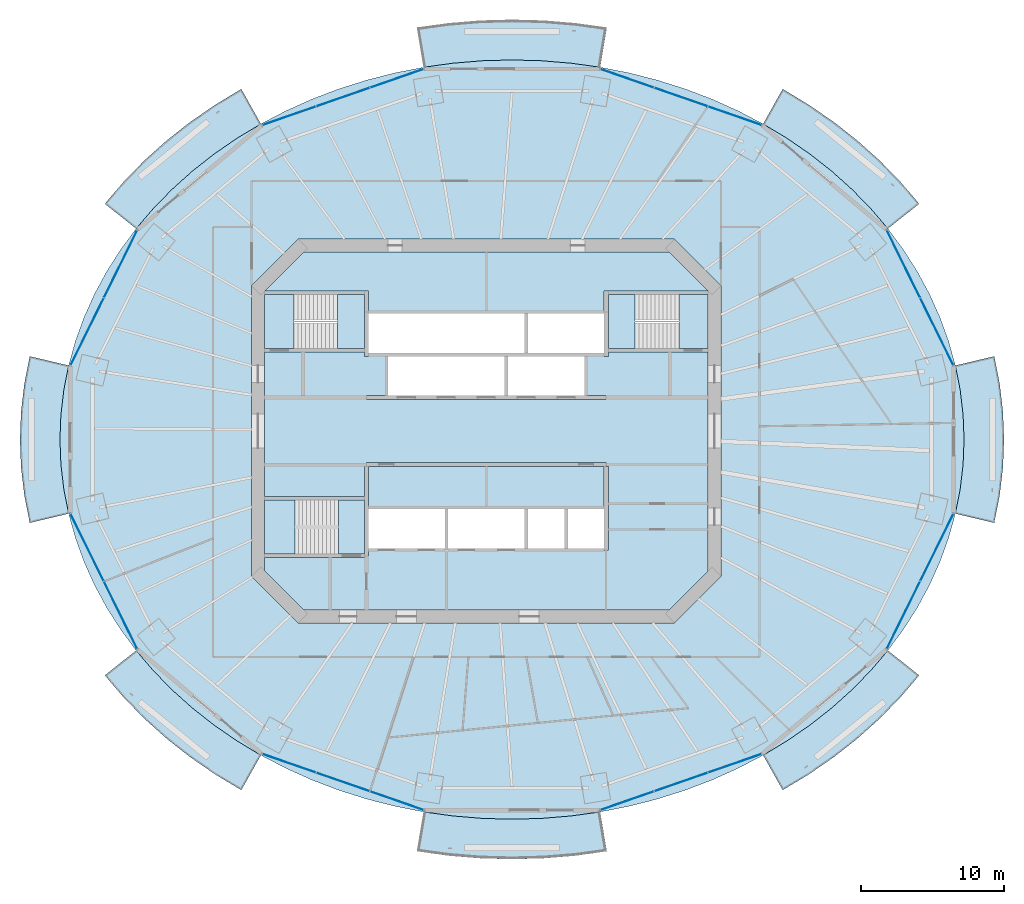
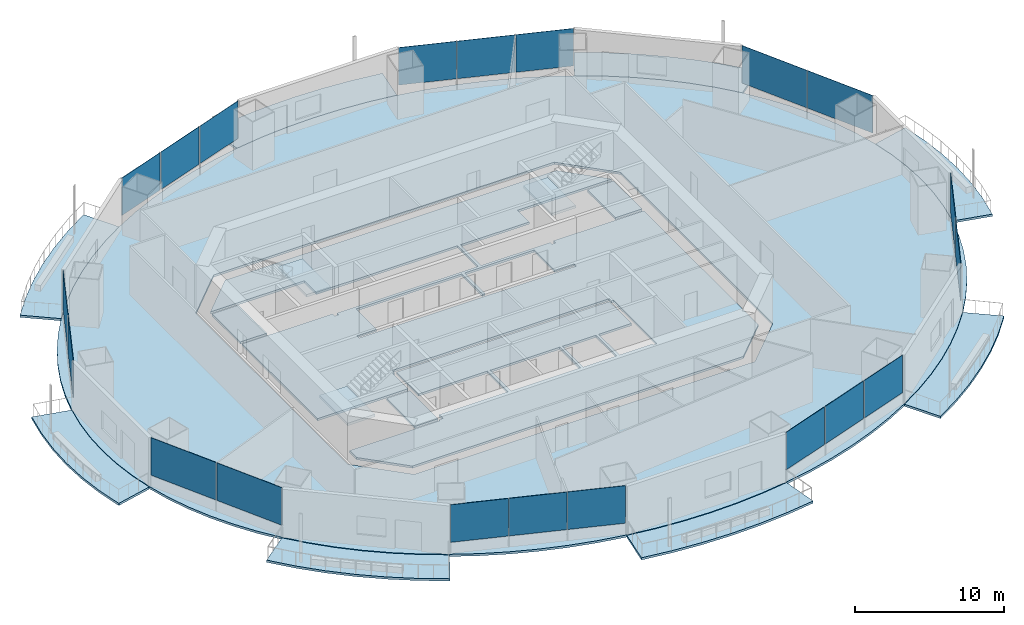
# One storey, part 11 of 21: 20 plates, 16 slabs, 11 elements without a shape of their own.
"""IFC4 building model written with IfcOpenShell, lengths in metres."""

from ifc_helpers import new_model, si_unit, direction, frame, origin, origin_2d, place, context, subcontext, project, spatial, polyline, rectangle, outline, extrude, material, layer, layer_set, type_object, element, aggregate, save


model = new_model("IFC4")

# Units and contexts
model_context = context("Model", 3, precision=1e-05, world=origin(), true_north=direction((0.0, 1.0)))
body_context = subcontext(model_context, "Body", "Model", "MODEL_VIEW")
ifc_project = project(units=[si_unit("LENGTHUNIT", "METRE"), si_unit("AREAUNIT", "SQUARE_METRE"), si_unit("VOLUMEUNIT", "CUBIC_METRE"), si_unit("PLANEANGLEUNIT", "RADIAN"), si_unit("MASSUNIT", "GRAM", prefix="KILO")], contexts=[model_context])

# Site, building, storey
site_placement = place(None, origin())
site = spatial("IfcSite", under=ifc_project, at=site_placement, CompositionType="ELEMENT")
building_placement = place(site_placement, origin())
building = spatial("IfcBuilding", under=site, at=building_placement, Name="Marenthal Gate Tower", CompositionType="ELEMENT")
storey_placement = place(building_placement, frame((0.0, 0.0, 198.39990234375)))
storey = spatial("IfcBuildingStorey", under=building, at=storey_placement, Name="L43", CompositionType="ELEMENT", Elevation=198.39990234375)

# Slabs
ifc_material_1 = material(Name="Concrete 40 MPa", Category="concrete")
ifc_layer_1 = layer(ifc_material_1, 0.179931640625)
ifc_layer_set_1 = layer_set([ifc_layer_1], Name="Balcony deck 180")
slab_type_1 = type_object("IfcSlabType", Name="Balcony deck 180", PredefinedType="USERDEFINED", material=ifc_layer_set_1)
slab_1_placement = place(storey_placement, frame((0.0, 0.0, -0.219970703125)))
element("IfcSlab", 1, at=slab_1_placement, inside=storey, type_object=slab_type_1, Name="Balcony deck L43 bay 2", ObjectType="BALCONY", PredefinedType="USERDEFINED", context=body_context, shape_type="SweptSolid", body=[
    extrude(outline(polyline([(28.15087890625, 14.1865234375), (26.943115234375, 15.602294921875), (25.627197265625, 16.948486328125), (24.209716796875, 18.219482421875), (22.696044921875, 19.41015625), (21.093017578125, 20.51513671875), (19.406982421875, 21.529541015625), (20.77734375, 23.971435546875), (22.609619140625, 22.86865234375), (24.3564453125, 21.664794921875), (26.01025390625, 20.36376953125), (27.56396484375, 18.970703125), (29.010009765625, 17.490966796875), (30.342041015625, 15.929931640625), (28.15087890625, 14.1865234375)])), origin(), (0.0, 0.0, 1.0), 0.18017578125),
])
slab_2_placement = place(storey_placement, frame((0.0, 0.0, -0.219970703125)))
element("IfcSlab", 2, at=slab_2_placement, inside=storey, type_object=slab_type_1, Name="Balcony deck L43 bay 4", ObjectType="BALCONY", PredefinedType="USERDEFINED", context=body_context, shape_type="SweptSolid", body=[
    extrude(outline(polyline([(7.98291015625, 25.503662109375), (5.9365234375, 25.787353515625), (3.872802734375, 25.9580078125), (1.800048828125, 26.014892578125), (-0.272705078125, 25.9580078125), (-2.336669921875, 25.787353515625), (-4.3828125, 25.503662109375), (-4.84423828125, 28.265380859375), (-2.644287109375, 28.5703125), (-0.4267578125, 28.753662109375), (1.800048828125, 28.81494140625), (4.026611328125, 28.753662109375), (6.244384765625, 28.5703125), (8.444091796875, 28.265380859375), (7.98291015625, 25.503662109375)])), origin(), (0.0, 0.0, 1.0), 0.18017578125),
])
slab_3_placement = place(storey_placement, frame((0.0, 0.0, -0.219970703125)))
element("IfcSlab", 3, at=slab_3_placement, inside=storey, type_object=slab_type_1, Name="Balcony deck L43 bay 6", ObjectType="BALCONY", PredefinedType="USERDEFINED", context=body_context, shape_type="SweptSolid", body=[
    extrude(outline(polyline([(-15.80712890625, 21.529541015625), (-17.492919921875, 20.51513671875), (-19.095947265625, 19.41015625), (-20.609619140625, 18.219482421875), (-22.02734375, 16.948486328125), (-23.343017578125, 15.602294921875), (-24.55078125, 14.1865234375), (-26.741943359375, 15.929931640625), (-25.41015625, 17.490966796875), (-23.9638671875, 18.970703125), (-22.410400390625, 20.36376953125), (-20.75634765625, 21.664794921875), (-19.009521484375, 22.86865234375), (-17.17724609375, 23.971435546875), (-15.80712890625, 21.529541015625)])), origin(), (0.0, 0.0, 1.0), 0.18017578125),
])
slab_4_placement = place(storey_placement, frame((0.0, 0.0, -0.219970703125)))
element("IfcSlab", 4, at=slab_4_placement, inside=storey, type_object=slab_type_1, Name="Balcony deck L43 bay 8", ObjectType="BALCONY", PredefinedType="USERDEFINED", context=body_context, shape_type="SweptSolid", body=[
    extrude(outline(polyline([(-29.282958984375, 4.59228515625), (-29.620849609375, 2.8740234375), (-29.82421875, 1.140625), (-29.89208984375, -0.60009765625), (-29.82421875, -2.3408203125), (-29.620849609375, -4.073974609375), (-29.282958984375, -5.792236328125), (-32.007568359375, -6.437744140625), (-32.38720703125, -4.507568359375), (-32.61572265625, -2.55859375), (-32.69189453125, -0.60009765625), (-32.61572265625, 1.358642578125), (-32.38720703125, 3.3076171875), (-32.007568359375, 5.237548828125), (-29.282958984375, 4.59228515625)])), origin(), (0.0, 0.0, 1.0), 0.18017578125),
])
slab_5_placement = place(storey_placement, frame((0.0, 0.0, -0.219970703125)))
element("IfcSlab", 5, at=slab_5_placement, inside=storey, type_object=slab_type_1, Name="Balcony deck L43 bay 10", ObjectType="BALCONY", PredefinedType="USERDEFINED", context=body_context, shape_type="SweptSolid", body=[
    extrude(outline(polyline([(-24.55078125, -15.386474609375), (-23.343017578125, -16.80224609375), (-22.02734375, -18.1484375), (-20.609619140625, -19.419677734375), (-19.095947265625, -20.610107421875), (-17.492919921875, -21.715087890625), (-15.80712890625, -22.7294921875), (-17.17724609375, -25.17138671875), (-19.009521484375, -24.06884765625), (-20.75634765625, -22.86474609375), (-22.410400390625, -21.563720703125), (-23.9638671875, -20.1708984375), (-25.41015625, -18.69091796875), (-26.741943359375, -17.1298828125), (-24.55078125, -15.386474609375)])), origin(), (0.0, 0.0, 1.0), 0.18017578125),
])
slab_6_placement = place(storey_placement, frame((0.0, 0.0, -0.219970703125)))
element("IfcSlab", 6, at=slab_6_placement, inside=storey, type_object=slab_type_1, Name="Balcony deck L43 bay 12", ObjectType="BALCONY", PredefinedType="USERDEFINED", context=body_context, shape_type="SweptSolid", body=[
    extrude(outline(polyline([(-4.3828125, -26.70361328125), (-2.336669921875, -26.9873046875), (-0.272705078125, -27.157958984375), (1.800048828125, -27.215087890625), (3.872802734375, -27.157958984375), (5.9365234375, -26.9873046875), (7.98291015625, -26.70361328125), (8.444091796875, -29.46533203125), (6.244384765625, -29.770263671875), (4.026611328125, -29.953857421875), (1.800048828125, -30.014892578125), (-0.4267578125, -29.953857421875), (-2.644287109375, -29.770263671875), (-4.84423828125, -29.46533203125), (-4.3828125, -26.70361328125)])), origin(), (0.0, 0.0, 1.0), 0.18017578125),
])
slab_7_placement = place(storey_placement, frame((0.0, 0.0, -0.219970703125)))
element("IfcSlab", 7, at=slab_7_placement, inside=storey, type_object=slab_type_1, Name="Balcony deck L43 bay 14", ObjectType="BALCONY", PredefinedType="USERDEFINED", context=body_context, shape_type="SweptSolid", body=[
    extrude(outline(polyline([(19.406982421875, -22.7294921875), (21.093017578125, -21.715087890625), (22.696044921875, -20.610107421875), (24.209716796875, -19.419677734375), (25.627197265625, -18.1484375), (26.943115234375, -16.80224609375), (28.15087890625, -15.386474609375), (30.342041015625, -17.1298828125), (29.010009765625, -18.69091796875), (27.56396484375, -20.1708984375), (26.01025390625, -21.563720703125), (24.3564453125, -22.86474609375), (22.609619140625, -24.06884765625), (20.77734375, -25.17138671875), (19.406982421875, -22.7294921875)])), origin(), (0.0, 0.0, 1.0), 0.18017578125),
])
slab_8_placement = place(storey_placement, frame((0.0, 0.0, -0.219970703125)))
element("IfcSlab", 8, at=slab_8_placement, inside=storey, type_object=slab_type_1, Name="Balcony deck L43 bay 16", ObjectType="BALCONY", PredefinedType="USERDEFINED", context=body_context, shape_type="SweptSolid", body=[
    extrude(outline(polyline([(32.883056640625, -5.792236328125), (33.220947265625, -4.073974609375), (33.424072265625, -2.3408203125), (33.491943359375, -0.60009765625), (33.424072265625, 1.140625), (33.220947265625, 2.8740234375), (32.883056640625, 4.59228515625), (35.607666015625, 5.237548828125), (35.987060546875, 3.3076171875), (36.215576171875, 1.358642578125), (36.2919921875, -0.60009765625), (36.215576171875, -2.55859375), (35.987060546875, -4.507568359375), (35.607666015625, -6.437744140625), (32.883056640625, -5.792236328125)])), origin(), (0.0, 0.0, 1.0), 0.18017578125),
])
ifc_material_2 = material(Name="Concrete 50 MPa", Category="concrete")
ifc_layer_2 = layer(ifc_material_2, 0.179931640625)
ifc_layer_set_2 = layer_set([ifc_layer_2], Name="Core floor slab 180")
slab_type_2 = type_object("IfcSlabType", Name="Core floor slab 180", PredefinedType="FLOOR", material=ifc_layer_set_2)
slab_9_placement = place(storey_placement, frame((0.0, 0.0, -0.179931640625)))
element("IfcSlab", 9, at=slab_9_placement, inside=storey, type_object=slab_type_2, Name="Core floor L43", PredefinedType="FLOOR", context=body_context, shape_type="SweptSolid", body=[
    extrude(outline(polyline([(12.813720703125, -12.550048828125), (-12.813720703125, -12.550048828125), (-15.550048828125, -9.813720703125), (-15.550048828125, -8.875), (-8.550048828125, -8.875), (-8.550048828125, -8.75), (-8.25, -8.75), (-8.25, -8.239990234375), (-5.60009765625, -8.239990234375), (-2.909912109375, -8.239990234375), (-2.909912109375, -5.4599609375), (-5.60009765625, -5.4599609375), (-8.25, -5.4599609375), (-8.25, -2.5), (8.25, -2.5), (8.25, -5.4599609375), (5.7099609375, -5.4599609375), (5.7099609375, -8.239990234375), (8.25, -8.239990234375), (8.25, -8.35009765625), (8.550048828125, -8.35009765625), (8.550048828125, -2.5), (8.39990234375, -2.5), (8.39990234375, -2.199951171875), (-8.39990234375, -2.199951171875), (-8.39990234375, -2.5), (-8.550048828125, -2.5), (-8.550048828125, -4.574951171875), (-15.550048828125, -4.574951171875), (-15.550048828125, 5.52490234375), (-8.550048828125, 5.52490234375), (-8.550048828125, 5.239990234375), (-8.25, 5.239990234375), (-8.25, 5.4599609375), (-5.60009765625, 5.4599609375), (-2.800048828125, 5.4599609375), (0.0, 5.4599609375), (2.68994140625, 5.4599609375), (2.68994140625, 8.239990234375), (0.0, 8.239990234375), (-2.800048828125, 8.239990234375), (-5.60009765625, 8.239990234375), (-8.25, 8.239990234375), (-8.25, 8.35009765625), (-8.25, 9.824951171875), (-8.550048828125, 9.824951171875), (-15.53857421875, 9.824951171875), (-12.813720703125, 12.550048828125), (12.813720703125, 12.550048828125), (15.53857421875, 9.824951171875), (8.550048828125, 9.824951171875), (8.25, 9.824951171875), (8.25, 8.35009765625), (8.25, 8.239990234375), (5.60009765625, 8.239990234375), (2.909912109375, 8.239990234375), (2.909912109375, 5.4599609375), (5.60009765625, 5.4599609375), (8.25, 5.4599609375), (8.25, 5.239990234375), (8.550048828125, 5.239990234375), (8.550048828125, 5.52490234375), (15.550048828125, 5.52490234375), (15.550048828125, -9.813720703125), (12.813720703125, -12.550048828125)]), holes=[polyline([(2.68994140625, -8.239990234375), (2.68994140625, -5.4599609375), (0.0, -5.4599609375), (-2.68994140625, -5.4599609375), (-2.68994140625, -8.239990234375), (0.0, -8.239990234375), (2.68994140625, -8.239990234375)]), polyline([(-6.889892578125, 5.239990234375), (-6.889892578125, 2.5), (-8.39990234375, 2.5), (-8.39990234375, 2.199951171875), (8.39990234375, 2.199951171875), (8.39990234375, 2.5), (6.889892578125, 2.5), (6.889892578125, 5.239990234375), (4.199951171875, 5.239990234375), (1.510009765625, 5.239990234375), (1.510009765625, 2.5), (1.2900390625, 2.5), (1.2900390625, 5.239990234375), (-1.39990234375, 5.239990234375), (-4.199951171875, 5.239990234375), (-6.889892578125, 5.239990234375)]), polyline([(5.489990234375, -8.239990234375), (5.489990234375, -5.4599609375), (2.909912109375, -5.4599609375), (2.909912109375, -8.239990234375), (5.489990234375, -8.239990234375)])]), origin(), (0.0, 0.0, 1.0), 0.179931640625),
])
slab_10_placement = place(storey_placement, frame((0.0, 0.0, -0.179931640625)))
element("IfcSlab", 10, at=slab_10_placement, inside=storey, type_object=slab_type_2, Name="Core floor L43", PredefinedType="FLOOR", context=body_context, shape_type="SweptSolid", body=[
    extrude(outline(polyline([(15.550048828125, 5.77490234375), (13.5, 5.77490234375), (13.5, 9.574951171875), (15.550048828125, 9.574951171875), (15.550048828125, 5.77490234375)])), origin(), (0.0, 0.0, 1.0), 0.179931640625),
])
slab_11_placement = place(storey_placement, frame((0.0, 0.0, -0.179931640625)))
element("IfcSlab", 11, at=slab_11_placement, inside=storey, type_object=slab_type_2, Name="Core floor L43", PredefinedType="FLOOR", context=body_context, shape_type="SweptSolid", body=[
    extrude(outline(polyline([(-15.550048828125, 9.574951171875), (-13.5, 9.574951171875), (-13.5, 5.77490234375), (-15.550048828125, 5.77490234375), (-15.550048828125, 9.574951171875)])), origin(), (0.0, 0.0, 1.0), 0.179931640625),
])
slab_12_placement = place(storey_placement, frame((0.0, 0.0, -0.179931640625)))
element("IfcSlab", 12, at=slab_12_placement, inside=storey, type_object=slab_type_2, Name="Core floor L43", PredefinedType="FLOOR", context=body_context, shape_type="SweptSolid", body=[
    extrude(outline(polyline([(-8.550048828125, -8.625), (-10.35009765625, -8.625), (-10.35009765625, -4.824951171875), (-8.550048828125, -4.824951171875), (-8.550048828125, -8.625)])), origin(), (0.0, 0.0, 1.0), 0.179931640625),
])
ifc_material_3 = material(Name="Concrete 35 MPa", Category="concrete")
ifc_layer_3 = layer(ifc_material_3, 0.179931640625)
ifc_layer_set_3 = layer_set([ifc_layer_3], Name="Floor slab 180")
slab_type_3 = type_object("IfcSlabType", Name="Floor slab 180", PredefinedType="FLOOR", material=ifc_layer_set_3)
slab_13_placement = place(storey_placement, frame((0.0, 0.0, -0.179931640625)))
element("IfcSlab", 13, at=slab_13_placement, inside=storey, type_object=slab_type_3, Name="SL-L43-01", PredefinedType="FLOOR", context=body_context, shape_type="SweptSolid", body=[
    extrude(outline(polyline([(33.491943359375, -0.60009765625), (33.424072265625, 1.140625), (33.220947265625, 2.8740234375), (32.883056640625, 4.59228515625), (32.412109375, 6.28857421875), (31.81005859375, 7.955078125), (31.07958984375, 9.585205078125), (30.2236328125, 11.17138671875), (29.24609375, 12.70751953125), (28.15087890625, 14.1865234375), (26.943115234375, 15.602294921875), (25.627197265625, 16.948486328125), (24.209716796875, 18.219482421875), (22.696044921875, 19.41015625), (21.093017578125, 20.51513671875), (19.406982421875, 21.529541015625), (17.64599609375, 22.44921875), (15.81689453125, 23.270263671875), (13.927978515625, 23.989013671875), (11.987060546875, 24.6025390625), (10.00244140625, 25.108154296875), (7.98291015625, 25.503662109375), (5.9365234375, 25.787353515625), (3.872802734375, 25.9580078125), (1.800048828125, 26.014892578125), (-0.272705078125, 25.9580078125), (-2.336669921875, 25.787353515625), (-4.3828125, 25.503662109375), (-6.402587890625, 25.108154296875), (-8.38720703125, 24.6025390625), (-10.327880859375, 23.989013671875), (-12.217041015625, 23.270263671875), (-14.0458984375, 22.44921875), (-15.80712890625, 21.529541015625), (-17.492919921875, 20.51513671875), (-19.095947265625, 19.41015625), (-20.609619140625, 18.219482421875), (-22.02734375, 16.948486328125), (-23.343017578125, 15.602294921875), (-24.55078125, 14.1865234375), (-25.64599609375, 12.70751953125), (-26.623779296875, 11.17138671875), (-27.4794921875, 9.585205078125), (-28.210205078125, 7.955078125), (-28.81201171875, 6.28857421875), (-29.282958984375, 4.59228515625), (-29.620849609375, 2.8740234375), (-29.82421875, 1.140625), (-29.89208984375, -0.60009765625), (-29.82421875, -2.3408203125), (-29.620849609375, -4.073974609375), (-29.282958984375, -5.792236328125), (-28.81201171875, -7.488525390625), (-28.210205078125, -9.155029296875), (-27.4794921875, -10.78515625), (-26.623779296875, -12.37158203125), (-25.64599609375, -13.907470703125), (-24.55078125, -15.386474609375), (-23.343017578125, -16.80224609375), (-22.02734375, -18.1484375), (-20.609619140625, -19.419677734375), (-19.095947265625, -20.610107421875), (-17.492919921875, -21.715087890625), (-15.80712890625, -22.7294921875), (-14.0458984375, -23.6494140625), (-12.217041015625, -24.47021484375), (-10.327880859375, -25.189208984375), (-8.38720703125, -25.802490234375), (-6.402587890625, -26.30810546875), (-4.3828125, -26.70361328125), (-2.336669921875, -26.9873046875), (-0.272705078125, -27.157958984375), (1.800048828125, -27.215087890625), (3.872802734375, -27.157958984375), (5.9365234375, -26.9873046875), (7.98291015625, -26.70361328125), (10.00244140625, -26.30810546875), (11.987060546875, -25.802490234375), (13.927978515625, -25.189208984375), (15.81689453125, -24.47021484375), (17.64599609375, -23.6494140625), (19.406982421875, -22.7294921875), (21.093017578125, -21.715087890625), (22.696044921875, -20.610107421875), (24.209716796875, -19.419677734375), (25.627197265625, -18.1484375), (26.943115234375, -16.80224609375), (28.15087890625, -15.386474609375), (29.24609375, -13.907470703125), (30.2236328125, -12.37158203125), (31.07958984375, -10.78515625), (31.81005859375, -9.155029296875), (32.412109375, -7.488525390625), (32.883056640625, -5.792236328125), (33.220947265625, -4.073974609375), (33.424072265625, -2.3408203125), (33.491943359375, -0.60009765625)]), holes=[polyline([(13.186279296875, -13.449951171875), (16.449951171875, -10.186279296875), (16.449951171875, 10.186279296875), (13.186279296875, 13.449951171875), (-13.186279296875, 13.449951171875), (-16.449951171875, 10.186279296875), (-16.449951171875, -10.186279296875), (-13.186279296875, -13.449951171875), (13.186279296875, -13.449951171875)])]), origin(), (0.0, 0.0, 1.0), 0.179931640625),
])

# Curtain wall, plates
ifc_material_4 = material(Name="Aluminium and glass", Category="aluminium")
curtain_wall_type = type_object("IfcCurtainWallType", Name="Curtain wall typical mid", PredefinedType="NOTDEFINED", material=ifc_material_4)
curtain_wall_1_placement = place(storey_placement, origin())
curtain_wall_1 = element("IfcCurtainWall", 14, at=curtain_wall_1_placement, inside=storey, type_object=curtain_wall_type, Name="Curtain wall L43 bay 1", PredefinedType="NOTDEFINED")
ifc_material_5 = material(Name="Glass, laminated insulating unit", Category="glass")
ifc_layer_4 = layer(ifc_material_5, 0.030029296875)
ifc_layer_set_4 = layer_set([ifc_layer_4], Name="Glass panel 30 typical mid")
plate_type = type_object("IfcPlateType", Name="Glass panel 30 typical mid", PredefinedType="CURTAIN_PANEL", material=ifc_layer_set_4)
plate_1_placement = place(storey_placement, frame((31.580322265625, 6.969970703125, 0.89990234375), z_axis=(0.0, 0.0, 1.0), x_axis=(-0.442607164057, 0.896715617309, 0.0)))
plate_1 = element("IfcPlate", 15, at=plate_1_placement, type_object=plate_type, Name="Glass panel L43 bay 1.1", PredefinedType="CURTAIN_PANEL", context=body_context, shape_type="SweptSolid", body=[
    extrude(rectangle(XDim=5.235595703125, YDim=0.030029296875, at=origin_2d()), origin(), (0.0, 0.0, 1.0), 3.070068359375),
])
plate_2_placement = place(storey_placement, frame((29.236328125, 11.71875, 0.89990234375), z_axis=(0.0, 0.0, 1.0), x_axis=(-0.442607164057, 0.896715617309, 0.0)))
plate_2 = element("IfcPlate", 16, at=plate_2_placement, type_object=plate_type, Name="Glass panel L43 bay 1.2", PredefinedType="CURTAIN_PANEL", context=body_context, shape_type="SweptSolid", body=[
    extrude(rectangle(XDim=5.235595703125, YDim=0.030029296875, at=origin_2d()), origin(), (0.0, 0.0, 1.0), 3.070068359375),
])
aggregate(curtain_wall_1, [plate_1, plate_2])

curtain_wall_2_placement = place(storey_placement, origin())
curtain_wall_2 = element("IfcCurtainWall", 17, at=curtain_wall_2_placement, inside=storey, type_object=curtain_wall_type, Name="Curtain wall L43 bay 3", PredefinedType="NOTDEFINED")
plate_3_placement = place(storey_placement, frame((17.4248046875, 22.095703125, 0.89990234375), z_axis=(0.0, 0.0, 1.0), x_axis=(-0.944562277362, 0.328332307555, 0.0)))
plate_3 = element("IfcPlate", 18, at=plate_3_placement, type_object=plate_type, Name="Glass panel L43 bay 3.1", PredefinedType="CURTAIN_PANEL", context=body_context, shape_type="SweptSolid", body=[
    extrude(rectangle(XDim=3.936279296875, YDim=0.030029296875, at=origin_2d()), origin(), (0.0, 0.0, 1.0), 3.070068359375),
])
plate_4_placement = place(storey_placement, frame((13.64990234375, 23.407958984375, 0.89990234375), z_axis=(0.0, 0.0, 1.0), x_axis=(-0.944562277362, 0.328332307555, 0.0)))
plate_4 = element("IfcPlate", 19, at=plate_4_placement, type_object=plate_type, Name="Glass panel L43 bay 3.2", PredefinedType="CURTAIN_PANEL", context=body_context, shape_type="SweptSolid", body=[
    extrude(rectangle(XDim=3.936279296875, YDim=0.030029296875, at=origin_2d()), origin(), (0.0, 0.0, 1.0), 3.070068359375),
])
plate_5_placement = place(storey_placement, frame((9.875244140625, 24.719970703125, 0.89990234375), z_axis=(0.0, 0.0, 1.0), x_axis=(-0.944562277362, 0.328332307555, 0.0)))
plate_5 = element("IfcPlate", 20, at=plate_5_placement, type_object=plate_type, Name="Glass panel L43 bay 3.3", PredefinedType="CURTAIN_PANEL", context=body_context, shape_type="SweptSolid", body=[
    extrude(rectangle(XDim=3.936279296875, YDim=0.030029296875, at=origin_2d()), origin(), (0.0, 0.0, 1.0), 3.070068359375),
])
aggregate(curtain_wall_2, [plate_3, plate_4, plate_5])

curtain_wall_3_placement = place(storey_placement, origin())
curtain_wall_3 = element("IfcCurtainWall", 21, at=curtain_wall_3_placement, inside=storey, type_object=curtain_wall_type, Name="Curtain wall L43 bay 5", PredefinedType="NOTDEFINED")
plate_6_placement = place(storey_placement, frame((-6.275146484375, 24.719970703125, 0.89990234375), z_axis=(0.0, 0.0, 1.0), x_axis=(-0.944562277362, -0.328332307555, 0.0)))
plate_6 = element("IfcPlate", 22, at=plate_6_placement, type_object=plate_type, Name="Glass panel L43 bay 5.1", PredefinedType="CURTAIN_PANEL", context=body_context, shape_type="SweptSolid", body=[
    extrude(rectangle(XDim=3.936279296875, YDim=0.030029296875, at=origin_2d()), origin(), (0.0, 0.0, 1.0), 3.070068359375),
])
plate_7_placement = place(storey_placement, frame((-10.050048828125, 23.407958984375, 0.89990234375), z_axis=(0.0, 0.0, 1.0), x_axis=(-0.944562277362, -0.328332307555, 0.0)))
plate_7 = element("IfcPlate", 23, at=plate_7_placement, type_object=plate_type, Name="Glass panel L43 bay 5.2", PredefinedType="CURTAIN_PANEL", context=body_context, shape_type="SweptSolid", body=[
    extrude(rectangle(XDim=3.936279296875, YDim=0.030029296875, at=origin_2d()), origin(), (0.0, 0.0, 1.0), 3.070068359375),
])
plate_8_placement = place(storey_placement, frame((-13.82470703125, 22.095703125, 0.89990234375), z_axis=(0.0, 0.0, 1.0), x_axis=(-0.944562277362, -0.328332307555, 0.0)))
plate_8 = element("IfcPlate", 24, at=plate_8_placement, type_object=plate_type, Name="Glass panel L43 bay 5.3", PredefinedType="CURTAIN_PANEL", context=body_context, shape_type="SweptSolid", body=[
    extrude(rectangle(XDim=3.936279296875, YDim=0.030029296875, at=origin_2d()), origin(), (0.0, 0.0, 1.0), 3.070068359375),
])
aggregate(curtain_wall_3, [plate_6, plate_7, plate_8])

curtain_wall_4_placement = place(storey_placement, origin())
curtain_wall_4 = element("IfcCurtainWall", 25, at=curtain_wall_4_placement, inside=storey, type_object=curtain_wall_type, Name="Curtain wall L43 bay 7", PredefinedType="NOTDEFINED")
plate_9_placement = place(storey_placement, frame((-25.636474609375, 11.718505859375, 0.89990234375), z_axis=(0.0, 0.0, 1.0), x_axis=(-0.442607164057, -0.896715617309, 0.0)))
plate_9 = element("IfcPlate", 26, at=plate_9_placement, type_object=plate_type, Name="Glass panel L43 bay 7.1", PredefinedType="CURTAIN_PANEL", context=body_context, shape_type="SweptSolid", body=[
    extrude(rectangle(XDim=5.235595703125, YDim=0.030029296875, at=origin_2d()), origin(), (0.0, 0.0, 1.0), 3.070068359375),
])
plate_10_placement = place(storey_placement, frame((-27.980224609375, 6.969970703125, 0.89990234375), z_axis=(0.0, 0.0, 1.0), x_axis=(-0.442607164057, -0.896715617309, 0.0)))
plate_10 = element("IfcPlate", 27, at=plate_10_placement, type_object=plate_type, Name="Glass panel L43 bay 7.2", PredefinedType="CURTAIN_PANEL", context=body_context, shape_type="SweptSolid", body=[
    extrude(rectangle(XDim=5.235595703125, YDim=0.030029296875, at=origin_2d()), origin(), (0.0, 0.0, 1.0), 3.070068359375),
])
aggregate(curtain_wall_4, [plate_9, plate_10])

curtain_wall_5_placement = place(storey_placement, origin())
curtain_wall_5 = element("IfcCurtainWall", 28, at=curtain_wall_5_placement, inside=storey, type_object=curtain_wall_type, Name="Curtain wall L43 bay 9", PredefinedType="NOTDEFINED")
plate_11_placement = place(storey_placement, frame((-27.980224609375, -8.170166015625, 0.89990234375), z_axis=(0.0, 0.0, 1.0), x_axis=(0.442607164057, -0.896715617309, 0.0)))
plate_11 = element("IfcPlate", 29, at=plate_11_placement, type_object=plate_type, Name="Glass panel L43 bay 9.1", PredefinedType="CURTAIN_PANEL", context=body_context, shape_type="SweptSolid", body=[
    extrude(rectangle(XDim=5.235595703125, YDim=0.030029296875, at=origin_2d()), origin(), (0.0, 0.0, 1.0), 3.070068359375),
])
plate_12_placement = place(storey_placement, frame((-25.636474609375, -12.918701171875, 0.89990234375), z_axis=(0.0, 0.0, 1.0), x_axis=(0.442607164057, -0.896715617309, 0.0)))
plate_12 = element("IfcPlate", 30, at=plate_12_placement, type_object=plate_type, Name="Glass panel L43 bay 9.2", PredefinedType="CURTAIN_PANEL", context=body_context, shape_type="SweptSolid", body=[
    extrude(rectangle(XDim=5.235595703125, YDim=0.030029296875, at=origin_2d()), origin(), (0.0, 0.0, 1.0), 3.070068359375),
])
aggregate(curtain_wall_5, [plate_11, plate_12])

curtain_wall_6_placement = place(storey_placement, origin())
curtain_wall_6 = element("IfcCurtainWall", 31, at=curtain_wall_6_placement, inside=storey, type_object=curtain_wall_type, Name="Curtain wall L43 bay 11", PredefinedType="NOTDEFINED")
plate_13_placement = place(storey_placement, frame((-13.82470703125, -23.295654296875, 0.89990234375), z_axis=(0.0, 0.0, 1.0), x_axis=(0.944562277362, -0.328332307555, 0.0)))
plate_13 = element("IfcPlate", 32, at=plate_13_placement, type_object=plate_type, Name="Glass panel L43 bay 11.1", PredefinedType="CURTAIN_PANEL", context=body_context, shape_type="SweptSolid", body=[
    extrude(rectangle(XDim=3.936279296875, YDim=0.030029296875, at=origin_2d()), origin(), (0.0, 0.0, 1.0), 3.070068359375),
])
plate_14_placement = place(storey_placement, frame((-10.050048828125, -24.60791015625, 0.89990234375), z_axis=(0.0, 0.0, 1.0), x_axis=(0.944562277362, -0.328332307555, 0.0)))
plate_14 = element("IfcPlate", 33, at=plate_14_placement, type_object=plate_type, Name="Glass panel L43 bay 11.2", PredefinedType="CURTAIN_PANEL", context=body_context, shape_type="SweptSolid", body=[
    extrude(rectangle(XDim=3.936279296875, YDim=0.030029296875, at=origin_2d()), origin(), (0.0, 0.0, 1.0), 3.070068359375),
])
plate_15_placement = place(storey_placement, frame((-6.275146484375, -25.919921875, 0.89990234375), z_axis=(0.0, 0.0, 1.0), x_axis=(0.944562277362, -0.328332307555, 0.0)))
plate_15 = element("IfcPlate", 34, at=plate_15_placement, type_object=plate_type, Name="Glass panel L43 bay 11.3", PredefinedType="CURTAIN_PANEL", context=body_context, shape_type="SweptSolid", body=[
    extrude(rectangle(XDim=3.936279296875, YDim=0.030029296875, at=origin_2d()), origin(), (0.0, 0.0, 1.0), 3.070068359375),
])
aggregate(curtain_wall_6, [plate_13, plate_14, plate_15])

curtain_wall_7_placement = place(storey_placement, origin())
curtain_wall_7 = element("IfcCurtainWall", 35, at=curtain_wall_7_placement, inside=storey, type_object=curtain_wall_type, Name="Curtain wall L43 bay 13", PredefinedType="NOTDEFINED")
plate_16_placement = place(storey_placement, frame((9.875244140625, -25.919921875, 0.89990234375), z_axis=(0.0, 0.0, 1.0), x_axis=(0.944562277362, 0.328332307555, 0.0)))
plate_16 = element("IfcPlate", 36, at=plate_16_placement, type_object=plate_type, Name="Glass panel L43 bay 13.1", PredefinedType="CURTAIN_PANEL", context=body_context, shape_type="SweptSolid", body=[
    extrude(rectangle(XDim=3.936279296875, YDim=0.030029296875, at=origin_2d()), origin(), (0.0, 0.0, 1.0), 3.070068359375),
])
plate_17_placement = place(storey_placement, frame((13.64990234375, -24.60791015625, 0.89990234375), z_axis=(0.0, 0.0, 1.0), x_axis=(0.944562277362, 0.328332307555, 0.0)))
plate_17 = element("IfcPlate", 37, at=plate_17_placement, type_object=plate_type, Name="Glass panel L43 bay 13.2", PredefinedType="CURTAIN_PANEL", context=body_context, shape_type="SweptSolid", body=[
    extrude(rectangle(XDim=3.936279296875, YDim=0.030029296875, at=origin_2d()), origin(), (0.0, 0.0, 1.0), 3.070068359375),
])
plate_18_placement = place(storey_placement, frame((17.4248046875, -23.295654296875, 0.89990234375), z_axis=(0.0, 0.0, 1.0), x_axis=(0.944562277362, 0.328332307555, 0.0)))
plate_18 = element("IfcPlate", 38, at=plate_18_placement, type_object=plate_type, Name="Glass panel L43 bay 13.3", PredefinedType="CURTAIN_PANEL", context=body_context, shape_type="SweptSolid", body=[
    extrude(rectangle(XDim=3.936279296875, YDim=0.030029296875, at=origin_2d()), origin(), (0.0, 0.0, 1.0), 3.070068359375),
])
aggregate(curtain_wall_7, [plate_16, plate_17, plate_18])

curtain_wall_8_placement = place(storey_placement, origin())
curtain_wall_8 = element("IfcCurtainWall", 39, at=curtain_wall_8_placement, inside=storey, type_object=curtain_wall_type, Name="Curtain wall L43 bay 15", PredefinedType="NOTDEFINED")
plate_19_placement = place(storey_placement, frame((29.236328125, -12.918701171875, 0.89990234375), z_axis=(0.0, 0.0, 1.0), x_axis=(0.442607164057, 0.896715617309, 0.0)))
plate_19 = element("IfcPlate", 40, at=plate_19_placement, type_object=plate_type, Name="Glass panel L43 bay 15.1", PredefinedType="CURTAIN_PANEL", context=body_context, shape_type="SweptSolid", body=[
    extrude(rectangle(XDim=5.235595703125, YDim=0.030029296875, at=origin_2d()), origin(), (0.0, 0.0, 1.0), 3.070068359375),
])
plate_20_placement = place(storey_placement, frame((31.580322265625, -8.170166015625, 0.89990234375), z_axis=(0.0, 0.0, 1.0), x_axis=(0.442607164057, 0.896715617309, 0.0)))
plate_20 = element("IfcPlate", 41, at=plate_20_placement, type_object=plate_type, Name="Glass panel L43 bay 15.2", PredefinedType="CURTAIN_PANEL", context=body_context, shape_type="SweptSolid", body=[
    extrude(rectangle(XDim=5.235595703125, YDim=0.030029296875, at=origin_2d()), origin(), (0.0, 0.0, 1.0), 3.070068359375),
])
aggregate(curtain_wall_8, [plate_19, plate_20])

# Stair, slab
ifc_material_6 = material(Name="Concrete 40 MPa", Category="concrete")
stair_type = type_object("IfcStairType", Name="Exit stair 1800", PredefinedType="HALF_TURN_STAIR", material=ifc_material_6)
stair_1_placement = place(storey_placement, origin())
stair_1 = element("IfcStair", 42, at=stair_1_placement, inside=storey, type_object=stair_type, Name="Stair ST1", PredefinedType="HALF_TURN_STAIR")
ifc_material_7 = material(Name="Concrete 40 MPa", Category="concrete")
ifc_layer_5 = layer(ifc_material_7, 0.199951171875)
ifc_layer_set_5 = layer_set([ifc_layer_5], Name="Stair landing 200")
slab_type_4 = type_object("IfcSlabType", Name="Stair landing 200", PredefinedType="LANDING", material=ifc_layer_set_5)
slab_14_placement = place(storey_placement, frame((0.0, 0.0, 1.875)))
slab_14 = element("IfcSlab", 43, at=slab_14_placement, type_object=slab_type_4, Name="ST1 landing 1", PredefinedType="LANDING", context=body_context, shape_type="SweptSolid", body=[
    extrude(outline(polyline([(-10.419921875, 5.77490234375), (-8.550048828125, 5.77490234375), (-8.550048828125, 9.574951171875), (-10.419921875, 9.574951171875), (-10.419921875, 5.77490234375)])), origin(), (0.0, 0.0, 1.0), 0.2001953125),
])
aggregate(stair_1, [slab_14])

stair_2_placement = place(storey_placement, origin())
stair_2 = element("IfcStair", 44, at=stair_2_placement, inside=storey, type_object=stair_type, Name="Stair ST2", PredefinedType="HALF_TURN_STAIR")
slab_15_placement = place(storey_placement, frame((0.0, 0.0, 1.875)))
slab_15 = element("IfcSlab", 45, at=slab_15_placement, type_object=slab_type_4, Name="ST2 landing 1", PredefinedType="LANDING", context=body_context, shape_type="SweptSolid", body=[
    extrude(outline(polyline([(-15.550048828125, -8.625), (-13.429931640625, -8.625), (-13.429931640625, -4.824951171875), (-15.550048828125, -4.824951171875), (-15.550048828125, -8.625)])), origin(), (0.0, 0.0, 1.0), 0.2001953125),
])
aggregate(stair_2, [slab_15])

stair_3_placement = place(storey_placement, origin())
stair_3 = element("IfcStair", 46, at=stair_3_placement, inside=storey, type_object=stair_type, Name="Stair ST3", PredefinedType="HALF_TURN_STAIR")
slab_16_placement = place(storey_placement, frame((0.0, 0.0, 1.875)))
slab_16 = element("IfcSlab", 47, at=slab_16_placement, type_object=slab_type_4, Name="ST3 landing 1", PredefinedType="LANDING", context=body_context, shape_type="SweptSolid", body=[
    extrude(outline(polyline([(8.550048828125, 5.77490234375), (10.419921875, 5.77490234375), (10.419921875, 9.574951171875), (8.550048828125, 9.574951171875), (8.550048828125, 5.77490234375)])), origin(), (0.0, 0.0, 1.0), 0.2001953125),
])
aggregate(stair_3, [slab_16])

save(model, "model.ifc")
